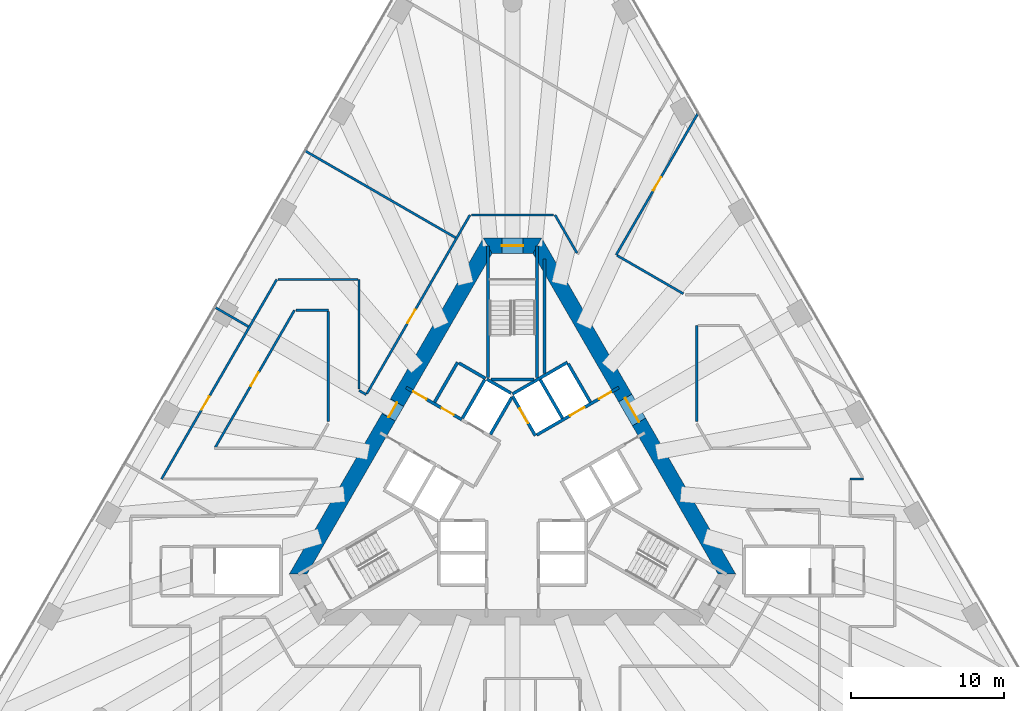
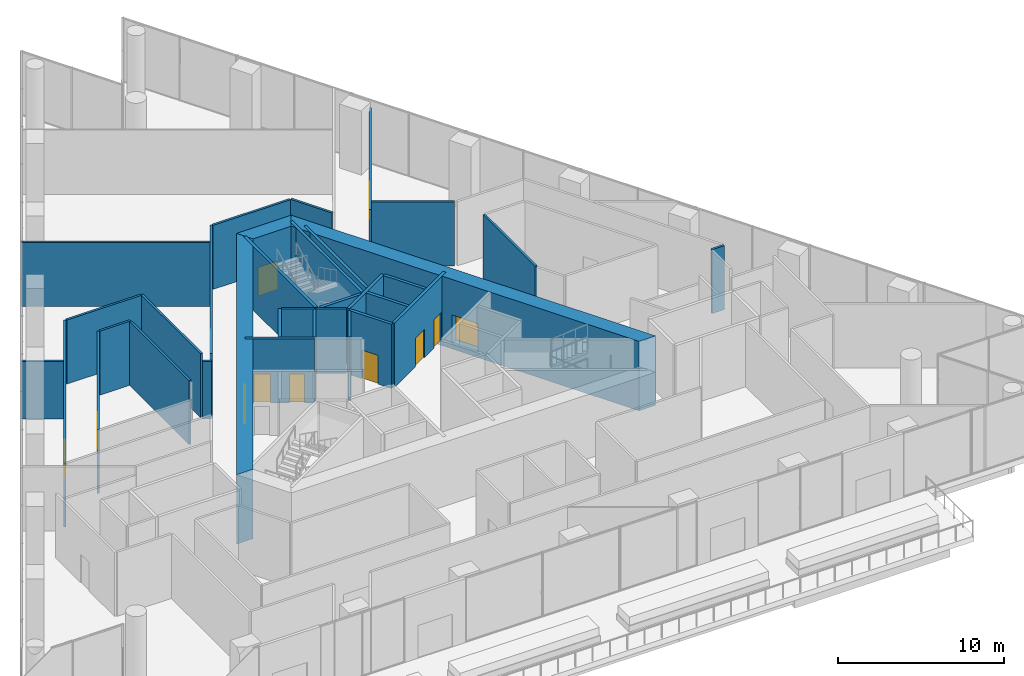
# One storey, part 24 of 28: 34 walls, 12 doors, 12 openings.
"""IFC4 building model written with IfcOpenShell, lengths in metres."""

from ifc_helpers import new_model, si_unit, direction, frame, frame_2d, origin, place, context, subcontext, project, spatial, polyline, rectangle, outline, extrude, material, layer, layer_set, type_object, element, fill, save


model = new_model("IFC4")

# Units and contexts
model_context = context("Model", 3, precision=1e-05, world=origin(), true_north=direction((0.0, 1.0)))
body_context = subcontext(model_context, "Body", "Model", "MODEL_VIEW")
ifc_project = project(units=[si_unit("LENGTHUNIT", "METRE"), si_unit("AREAUNIT", "SQUARE_METRE"), si_unit("VOLUMEUNIT", "CUBIC_METRE"), si_unit("PLANEANGLEUNIT", "RADIAN"), si_unit("MASSUNIT", "GRAM", prefix="KILO")], contexts=[model_context])

# Site, building, storey
site_placement = place(None, origin())
site = spatial("IfcSite", under=ifc_project, at=site_placement, CompositionType="ELEMENT")
building_placement = place(site_placement, origin())
building = spatial("IfcBuilding", under=site, at=building_placement, Name="Triada Interchange Tower", CompositionType="ELEMENT")
storey_placement = place(building_placement, frame((0.0, 0.0, 30.300048828125)))
storey = spatial("IfcBuildingStorey", under=building, at=storey_placement, Name="L05", CompositionType="ELEMENT", Elevation=30.300048828125)

# Wall
ifc_material_1 = material(Name="Concrete C30/37", Category="concrete")
ifc_layer_1 = layer(ifc_material_1, 0.199951171875)
ifc_layer_set_1 = layer_set([ifc_layer_1], Name="CORE WALL 200 EI 120")
wall_type_1 = type_object("IfcWallType", Name="CORE WALL 200 EI 120", PredefinedType="SOLIDWALL", material=ifc_layer_set_1)
wall_1_placement = place(storey_placement, frame((-0.001953125, 5.541015625, 0.0), z_axis=(0.0, 0.0, 1.0), x_axis=(0.86600155993, 0.500041296494, 0.0)))
element("IfcWall", 1, at=wall_1_placement, inside=storey, type_object=wall_type_1, Name="Wall L05 83", PredefinedType="SOLIDWALL", context=body_context, shape_type="SweptSolid", body=[
    extrude(rectangle(XDim=4.131591796875, YDim=0.199951171875, at=frame_2d((2.06591796875, 0.0))), origin(), (0.0, 0.0, 1.0), 4.699951171875),
])

# Wall, opening, door
wall_2_placement = place(storey_placement, frame((0.0, 5.39990234375, 0.0), z_axis=(0.0, 0.0, 1.0), x_axis=(0.500103862429, -0.865965430478, 0.0)))
wall_2 = element("IfcWall", 2, at=wall_2_placement, inside=storey, type_object=wall_type_1, Name="Wall L05 84", PredefinedType="SOLIDWALL", context=body_context, shape_type="SweptSolid", body=[
    extrude(rectangle(XDim=2.973388671875, YDim=0.199951171875, at=frame_2d((1.48681640625, 0.0))), origin(), (0.0, 0.0, 1.0), 4.699951171875),
])
opening_1_placement = place(wall_2_placement, frame((0.93701171875, 0.0, 0.0)))
opening_1 = element("IfcOpeningElement", 3, at=opening_1_placement, cuts=wall_2, Name="Opening LD-LR5", PredefinedType="OPENING", context=body_context, shape_type="SweptSolid", body=[
    extrude(rectangle(XDim=1.10009765625, YDim=2.10009765625, at=frame_2d((0.550048828125, 1.050048828125))), frame((0.0, 0.10986328125, 0.0), z_axis=(0.0, -1.0, 0.0), x_axis=(1.0, 0.0, 0.0)), (0.0, 0.0, 1.0), 0.219970703125),
])
ifc_material_2 = material(Name="Steel S235 door leaf", Category="steel")
door_type_1 = type_object("IfcDoorType", Name="LIFT LANDING DOOR 1100 EI 120", OperationType="SLIDING_TO_LEFT", PredefinedType="DOOR", material=ifc_material_2)
door_1_placement = place(opening_1_placement, origin())
door_1 = element("IfcDoor", 4, at=door_1_placement, inside=storey, type_object=door_type_1, Name="LR5 landing door L05", OperationType="SLIDING_TO_LEFT", OverallHeight=2.10009765625, OverallWidth=1.10009765625, PredefinedType="DOOR", context=body_context, shape_type="SweptSolid", body=[
    extrude(rectangle(XDim=1.10009765625, YDim=2.10009765625, at=frame_2d((0.550048828125, 1.050048828125))), frame((0.0, 0.02490234375, 0.0), z_axis=(0.0, -1.0, 0.0), x_axis=(1.0, 0.0, 0.0)), (0.0, 0.0, 1.0), 0.050048828125),
])
fill(opening_1, door_1)

# Wall, openings, doors
wall_3_placement = place(storey_placement, frame((1.577880859375, 2.8740234375, 0.0), z_axis=(0.0, 0.0, 1.0), x_axis=(0.866055259465, 0.499948284879, 0.0)))
wall_3 = element("IfcWall", 5, at=wall_3_placement, inside=storey, type_object=wall_type_1, Name="Wall L05 86", PredefinedType="SOLIDWALL", context=body_context, shape_type="SweptSolid", body=[
    extrude(rectangle(XDim=6.176513671875, YDim=0.199951171875, at=frame_2d((3.08837890625, 0.0))), origin(), (0.0, 0.0, 1.0), 4.699951171875),
])
opening_2_placement = place(wall_3_placement, frame((2.49609375, 0.0, 0.0)))
opening_2 = element("IfcOpeningElement", 6, at=opening_2_placement, cuts=wall_3, Name="Opening LD-LR6", PredefinedType="OPENING", context=body_context, shape_type="SweptSolid", body=[
    extrude(rectangle(XDim=1.10009765625, YDim=2.10009765625, at=frame_2d((0.550048828125, 1.050048828125))), frame((0.0, 0.10986328125, 0.0), z_axis=(0.0, -1.0, 0.0), x_axis=(1.0, 0.0, 0.0)), (0.0, 0.0, 1.0), 0.219970703125),
])
opening_3_placement = place(wall_3_placement, frame((4.696044921875, 0.0, 0.0)))
opening_3 = element("IfcOpeningElement", 7, at=opening_3_placement, cuts=wall_3, Name="Opening D05-40", PredefinedType="OPENING", context=body_context, shape_type="SweptSolid", body=[
    extrude(rectangle(XDim=0.89990234375, YDim=2.10009765625, at=frame_2d((0.449951171875, 1.050048828125))), frame((0.0, 0.10986328125, 0.0), z_axis=(0.0, -1.0, 0.0), x_axis=(1.0, 0.0, 0.0)), (0.0, 0.0, 1.0), 0.219970703125),
])
door_2_placement = place(opening_2_placement, origin())
door_2 = element("IfcDoor", 8, at=door_2_placement, inside=storey, type_object=door_type_1, Name="LR6 landing door L05", OperationType="SLIDING_TO_LEFT", OverallHeight=2.10009765625, OverallWidth=1.10009765625, PredefinedType="DOOR", context=body_context, shape_type="SweptSolid", body=[
    extrude(rectangle(XDim=1.10009765625, YDim=2.10009765625, at=frame_2d((0.550048828125, 1.050048828125))), frame((0.0, 0.02490234375, 0.0), z_axis=(0.0, -1.0, 0.0), x_axis=(1.0, 0.0, 0.0)), (0.0, 0.0, 1.0), 0.050048828125),
])
fill(opening_2, door_2)
door_type_2 = type_object("IfcDoorType", Name="SERVICE DOOR 900 EI2 45-C5S200", OperationType="NOTDEFINED", PredefinedType="DOOR", material=ifc_material_2)
door_3_placement = place(opening_3_placement, origin())
door_3 = element("IfcDoor", 9, at=door_3_placement, inside=storey, type_object=door_type_2, Name="Door D05-40 L05", OperationType="SINGLE_SWING_LEFT", OverallHeight=2.10009765625, OverallWidth=0.89990234375, PredefinedType="DOOR", context=body_context, shape_type="SweptSolid", body=[
    extrude(rectangle(XDim=0.89990234375, YDim=2.10009765625, at=frame_2d((0.449951171875, 1.050048828125))), frame((0.0, 0.02490234375, 0.0), z_axis=(0.0, -1.0, 0.0), x_axis=(1.0, 0.0, 0.0)), (0.0, 0.0, 1.0), 0.050048828125),
])
fill(opening_3, door_3)

# Walls
for number, where, z_axis, x_axis, name in (
    (10, (1.806884765625, 6.469970703125, 0.0), (0.0, 0.0, 1.0), (0.50012328804, -0.865954211699, 0.0), "Wall L05 89"),
    (11, (3.6259765625, 7.52001953125, 0.0), (0.0, 0.0, 1.0), (0.500060147554, -0.865990674793, 0.0), "Wall L05 91"),
):
    element("IfcWall", number, at=place(storey_placement, frame(where, z_axis=z_axis, x_axis=x_axis)), inside=storey, type_object=wall_type_1, Name=name, PredefinedType="SOLIDWALL", context=body_context, shape_type="SweptSolid", body=[
        extrude(rectangle(XDim=2.899658203125, YDim=0.199951171875, at=frame_2d((1.44970703125, 0.0))), origin(), (0.0, 0.0, 1.0), 4.699951171875),
    ])

# Wall, openings, doors
ifc_layer_2 = layer(ifc_material_1, 0.199951171875)
ifc_layer_set_2 = layer_set([ifc_layer_2], Name="CORE WALL 200 EI 180")
wall_type_2 = type_object("IfcWallType", Name="CORE WALL 200 EI 180", PredefinedType="SOLIDWALL", material=ifc_layer_set_2)
wall_4_placement = place(storey_placement, frame((-6.927001953125, 5.9619140625, 0.0), z_axis=(0.0, 0.0, 1.0), x_axis=(0.866065051207, -0.49993132236, 0.0)))
wall_4 = element("IfcWall", 12, at=wall_4_placement, inside=storey, type_object=wall_type_2, Name="Wall L05 97", PredefinedType="SOLIDWALL", context=body_context, shape_type="SweptSolid", body=[
    extrude(rectangle(XDim=4.18212890625, YDim=0.199951171875, at=frame_2d((2.091064453125, 0.0))), origin(), (0.0, 0.0, 1.0), 4.699951171875),
])
opening_4_placement = place(wall_4_placement, frame((2.679931640625, 0.0, 0.0)))
opening_4 = element("IfcOpeningElement", 13, at=opening_4_placement, cuts=wall_4, Name="Opening D05-10", PredefinedType="OPENING", context=body_context, shape_type="SweptSolid", body=[
    extrude(rectangle(XDim=0.89990234375, YDim=2.10009765625, at=frame_2d((0.449951171875, 1.050048828125))), frame((0.0, 0.10986328125, 0.0), z_axis=(0.0, -1.0, 0.0), x_axis=(1.0, 0.0, 0.0)), (0.0, 0.0, 1.0), 0.219970703125),
])
opening_5_placement = place(wall_4_placement, frame((0.530029296875, 0.0, 0.0)))
opening_5 = element("IfcOpeningElement", 14, at=opening_5_placement, cuts=wall_4, Name="Opening D05-39", PredefinedType="OPENING", context=body_context, shape_type="SweptSolid", body=[
    extrude(rectangle(XDim=1.0, YDim=2.10009765625, at=frame_2d((0.5, 1.050048828125))), frame((0.0, 0.10986328125, 0.0), z_axis=(0.0, -1.0, 0.0), x_axis=(1.0, 0.0, 0.0)), (0.0, 0.0, 1.0), 0.219970703125),
])
door_type_3 = type_object("IfcDoorType", Name="SERVICE DOOR 1000 EI2 45-C5S200", OperationType="NOTDEFINED", PredefinedType="DOOR", material=ifc_material_2)
door_4_placement = place(opening_5_placement, origin())
door_4 = element("IfcDoor", 15, at=door_4_placement, inside=storey, type_object=door_type_3, Name="Door D05-39 L05", OperationType="SINGLE_SWING_RIGHT", OverallHeight=2.10009765625, OverallWidth=1.0, PredefinedType="DOOR", context=body_context, shape_type="SweptSolid", body=[
    extrude(rectangle(XDim=1.0, YDim=2.10009765625, at=frame_2d((0.5, 1.050048828125))), frame((0.0, 0.02490234375, 0.0), z_axis=(0.0, -1.0, 0.0), x_axis=(1.0, 0.0, 0.0)), (0.0, 0.0, 1.0), 0.050048828125),
])
fill(opening_5, door_4)
door_type_4 = type_object("IfcDoorType", Name="SERVICE DOOR 900 EI2 90-C5S200", OperationType="NOTDEFINED", PredefinedType="DOOR", material=ifc_material_2)
door_5_placement = place(opening_4_placement, origin())
door_5 = element("IfcDoor", 16, at=door_5_placement, inside=storey, type_object=door_type_4, Name="Door D05-10 L05", OperationType="SINGLE_SWING_LEFT", OverallHeight=2.10009765625, OverallWidth=0.89990234375, PredefinedType="DOOR", context=body_context, shape_type="SweptSolid", body=[
    extrude(rectangle(XDim=0.89990234375, YDim=2.10009765625, at=frame_2d((0.449951171875, 1.050048828125))), frame((0.0, 0.02490234375, 0.0), z_axis=(0.0, -1.0, 0.0), x_axis=(1.0, 0.0, 0.0)), (0.0, 0.0, 1.0), 0.050048828125),
])
fill(opening_4, door_5)

# Walls
wall_5_placement = place(storey_placement, frame((-5.075927734375, 5.009033203125, 0.0), z_axis=(0.0, 0.0, 1.0), x_axis=(0.50002537861, 0.866010750942, 0.0)))
element("IfcWall", 17, at=wall_5_placement, inside=storey, type_object=wall_type_2, Name="Wall L05 99", PredefinedType="SOLIDWALL", context=body_context, shape_type="SweptSolid", body=[
    extrude(rectangle(XDim=2.999755859375, YDim=0.199951171875, at=frame_2d((1.5, 0.0))), origin(), (0.0, 0.0, 1.0), 4.699951171875),
])
wall_6_placement = place(storey_placement, frame((-3.489013671875, 7.556884765625, 0.0), z_axis=(0.0, 0.0, 1.0), x_axis=(0.866010750942, -0.50002537861, 0.0)))
element("IfcWall", 18, at=wall_6_placement, inside=storey, type_object=wall_type_2, Name="Wall L05 100", PredefinedType="SOLIDWALL", context=body_context, shape_type="SweptSolid", body=[
    extrude(rectangle(XDim=2.0, YDim=0.199951171875, at=frame_2d((1.0, 0.0))), origin(), (0.0, 0.0, 1.0), 4.699951171875),
])
wall_7_placement = place(storey_placement, frame((-3.257080078125, 3.958984375, 0.0), z_axis=(0.0, 0.0, 1.0), x_axis=(0.50012328804, 0.865954211699, 0.0)))
element("IfcWall", 19, at=wall_7_placement, inside=storey, type_object=wall_type_2, Name="Shaft wall FF2 L05 107", PredefinedType="SOLIDWALL", context=body_context, shape_type="SweptSolid", body=[
    extrude(rectangle(XDim=2.899658203125, YDim=0.199951171875, at=frame_2d((1.44970703125, 0.0))), origin(), (0.0, 0.0, 1.0), 4.699951171875),
])
wall_8_placement = place(storey_placement, frame((-1.669921875, 6.507080078125, 0.0), z_axis=(0.0, 0.0, 1.0), x_axis=(0.865941441609, -0.500145398563, 0.0)))
element("IfcWall", 20, at=wall_8_placement, inside=storey, type_object=wall_type_2, Name="Shaft wall FF2 L05 108", PredefinedType="SOLIDWALL", context=body_context, shape_type="SweptSolid", body=[
    extrude(rectangle(XDim=1.8154296875, YDim=0.199951171875, at=frame_2d((0.90771484375, 0.0))), origin(), (0.0, 0.0, 1.0), 4.699951171875),
])
wall_9_placement = place(storey_placement, frame((-1.43798828125, 2.908935546875, 0.0), z_axis=(0.0, 0.0, 1.0), x_axis=(0.499829630636, 0.866123744241, 0.0)))
element("IfcWall", 21, at=wall_9_placement, inside=storey, type_object=wall_type_2, Name="Shaft wall FF2 L05 109", PredefinedType="SOLIDWALL", context=body_context, shape_type="SweptSolid", body=[
    extrude(rectangle(XDim=2.7607421875, YDim=0.199951171875, at=frame_2d((1.38037109375, 0.0))), origin(), (0.0, 0.0, 1.0), 4.699951171875),
])
ifc_layer_3 = layer(ifc_material_1, 0.199951171875)
ifc_layer_set_3 = layer_set([ifc_layer_3], Name="CORE WALL 200 EI 90")
wall_type_3 = type_object("IfcWallType", Name="CORE WALL 200 EI 90", PredefinedType="SOLIDWALL", material=ifc_layer_set_3)
wall_10_placement = place(storey_placement, frame((2.0830078125, 6.861083984375, 0.0), z_axis=(0.0, 0.0, 1.0), x_axis=(0.0, 1.0, 0.0)))
element("IfcWall", 22, at=wall_10_placement, inside=storey, type_object=wall_type_3, Name="Wall L05 111", PredefinedType="SOLIDWALL", context=body_context, shape_type="SweptSolid", body=[
    extrude(rectangle(XDim=7.490966796875, YDim=0.199951171875, at=frame_2d((3.74560546875, 0.0))), origin(), (0.0, 0.0, 1.0), 4.699951171875),
])
ifc_layer_4 = layer(ifc_material_1, 0.199951171875)
ifc_layer_set_4 = layer_set([ifc_layer_4], Name="CORE WALL 200 REI 240")
wall_type_4 = type_object("IfcWallType", Name="CORE WALL 200 REI 240", PredefinedType="SOLIDWALL", material=ifc_layer_set_4)
wall_11_placement = place(storey_placement, frame((1.60009765625, 6.614990234375, 0.0), z_axis=(0.0, 0.0, 1.0), x_axis=(0.0, 1.0, 0.0)))
element("IfcWall", 23, at=wall_11_placement, inside=storey, type_object=wall_type_4, Name="Wall L05 115", PredefinedType="SOLIDWALL", context=body_context, shape_type="SweptSolid", body=[
    extrude(rectangle(XDim=8.56494140625, YDim=0.199951171875, at=frame_2d((4.282470703125, 0.0))), origin(), (0.0, 0.0, 1.0), 4.699951171875),
])
wall_12_placement = place(storey_placement, frame((-1.39990234375, 6.5, 0.0), z_axis=(0.0, 0.0, 1.0), x_axis=(1.0, 0.0, 0.0)))
element("IfcWall", 24, at=wall_12_placement, inside=storey, type_object=wall_type_4, Name="Wall L05 116", PredefinedType="SOLIDWALL", context=body_context, shape_type="SweptSolid", body=[
    extrude(rectangle(XDim=2.7998046875, YDim=0.199951171875, at=frame_2d((1.39990234375, 0.0))), origin(), (0.0, 0.0, 1.0), 4.699951171875),
])
wall_13_placement = place(storey_placement, frame((-1.60009765625, 6.614990234375, 0.0), z_axis=(0.0, 0.0, 1.0), x_axis=(0.0, 1.0, 0.0)))
element("IfcWall", 25, at=wall_13_placement, inside=storey, type_object=wall_type_4, Name="Wall L05 117", PredefinedType="SOLIDWALL", context=body_context, shape_type="SweptSolid", body=[
    extrude(rectangle(XDim=8.56494140625, YDim=0.199951171875, at=frame_2d((4.282470703125, 0.0))), origin(), (0.0, 0.0, 1.0), 4.699951171875),
])

# Wall, opening, door
ifc_material_3 = material(Name="Concrete C70/85", Category="concrete")
ifc_layer_5 = layer(ifc_material_3, 1.0)
ifc_layer_set_5 = layer_set([ifc_layer_5], Name="Core wall P 1000")
wall_type_5 = type_object("IfcWallType", Name="Core wall P 1000", PredefinedType="SHEAR", material=ifc_layer_set_5)
wall_14_placement = place(storey_placement, frame((1.616943359375, 15.199951171875, -0.400146484375), z_axis=(0.0, 0.0, 1.0), x_axis=(-1.0, 0.0, 0.0)))
wall_14 = element("IfcWall", 26, at=wall_14_placement, inside=storey, type_object=wall_type_5, Name="Core wall WP01 L05", PredefinedType="SHEAR", context=body_context, shape_type="SweptSolid", body=[
    extrude(outline(polyline([(-0.2880859375, -0.5), (1.616943359375, -0.5), (3.52197265625, -0.5), (2.945068359375, 0.5), (1.6171875, 0.5), (0.2890625, 0.5), (-0.2880859375, -0.5)])), origin(), (0.0, 0.0, 1.0), 5.10009765625),
])
opening_6_placement = place(wall_14_placement, frame((0.9169921875, 0.0, 0.39990234375)))
opening_6 = element("IfcOpeningElement", 27, at=opening_6_placement, cuts=wall_14, Name="Opening D05-33", PredefinedType="OPENING", context=body_context, shape_type="SweptSolid", body=[
    extrude(rectangle(XDim=1.39990234375, YDim=2.10009765625, at=frame_2d((0.699951171875, 1.050048828125))), frame((0.0, 0.510009765625, 0.0), z_axis=(0.0, -1.0, 0.0), x_axis=(1.0, 0.0, 0.0)), (0.0, 0.0, 1.0), 1.02001953125),
])
door_type_5 = type_object("IfcDoorType", Name="STAIR DOOR 1400 EI2 90-C5S200", OperationType="DOUBLE_DOOR_SINGLE_SWING", PredefinedType="DOOR", material=ifc_material_2)
door_6_placement = place(opening_6_placement, origin())
door_6 = element("IfcDoor", 28, at=door_6_placement, inside=storey, type_object=door_type_5, Name="Door D05-33 L05", OperationType="DOUBLE_DOOR_SINGLE_SWING", OverallHeight=2.10009765625, OverallWidth=1.39990234375, PredefinedType="DOOR", context=body_context, shape_type="SweptSolid", body=[
    extrude(rectangle(XDim=1.39990234375, YDim=2.10009765625, at=frame_2d((0.699951171875, 1.050048828125))), frame((0.0, 0.02490234375, 0.0), z_axis=(0.0, -1.0, 0.0), x_axis=(1.0, 0.0, 0.0)), (0.0, 0.0, 1.0), 0.050048828125),
])
fill(opening_6, door_6)

wall_15_placement = place(storey_placement, frame((-1.616943359375, 15.199951171875, -0.400146484375), z_axis=(0.0, 0.0, 1.0), x_axis=(-0.499992141631, -0.866029940768, 0.0)))
wall_15 = element("IfcWall", 29, at=wall_15_placement, inside=storey, type_object=wall_type_5, Name="Core wall WP02 L05", PredefinedType="SHEAR", context=body_context, shape_type="SweptSolid", body=[
    extrude(outline(polyline([(-0.2890625, -0.4990234375), (1.65625, -0.4990234375), (3.601318359375, -0.499267578125), (5.546630859375, -0.499267578125), (7.491943359375, -0.499267578125), (9.43701171875, -0.49951171875), (11.38232421875, -0.49951171875), (13.32763671875, -0.49951171875), (15.27294921875, -0.49951171875), (17.218017578125, -0.499755859375), (19.163330078125, -0.499755859375), (21.108642578125, -0.499755859375), (23.0537109375, -0.5), (24.9990234375, -0.5), (24.422119140625, 0.5), (22.565673828125, 0.5), (20.709228515625, 0.5), (18.85302734375, 0.5), (16.99658203125, 0.5), (15.14013671875, 0.5), (13.28369140625, 0.5), (11.427490234375, 0.5), (9.571044921875, 0.5), (7.714599609375, 0.5), (5.858154296875, 0.5), (4.001953125, 0.5), (2.1455078125, 0.5), (0.2890625, 0.5), (-0.2890625, -0.4990234375)])), origin(), (0.0, 0.0, 1.0), 5.10009765625),
])
opening_7_placement = place(wall_15_placement, frame((11.804931640625, 0.0, 0.39990234375)))
opening_7 = element("IfcOpeningElement", 30, at=opening_7_placement, cuts=wall_15, Name="Opening D05-36", PredefinedType="OPENING", context=body_context, shape_type="SweptSolid", body=[
    extrude(rectangle(XDim=1.10009765625, YDim=2.10009765625, at=frame_2d((0.550048828125, 1.050048828125))), frame((0.0, 0.510009765625, 0.0), z_axis=(0.0, -1.0, 0.0), x_axis=(1.0, 0.0, 0.0)), (0.0, 0.0, 1.0), 1.02001953125),
])
door_type_6 = type_object("IfcDoorType", Name="FIRE LOBBY DOOR 1100 EI2 90-C5S200", OperationType="NOTDEFINED", PredefinedType="DOOR", material=ifc_material_2)
door_7_placement = place(opening_7_placement, origin())
door_7 = element("IfcDoor", 31, at=door_7_placement, inside=storey, type_object=door_type_6, Name="Door D05-36 L05", OperationType="SINGLE_SWING_LEFT", OverallHeight=2.10009765625, OverallWidth=1.10009765625, PredefinedType="DOOR", context=body_context, shape_type="SweptSolid", body=[
    extrude(rectangle(XDim=1.10009765625, YDim=2.10009765625, at=frame_2d((0.550048828125, 1.050048828125))), frame((0.0, 0.02490234375, 0.0), z_axis=(0.0, -1.0, 0.0), x_axis=(1.0, 0.0, 0.0)), (0.0, 0.0, 1.0), 0.050048828125),
])
fill(opening_7, door_7)

wall_16_placement = place(storey_placement, frame((13.971923828125, -6.199951171875, -0.400146484375), z_axis=(0.0, 0.0, 1.0), x_axis=(-0.499992141631, 0.866029940768, 0.0)))
wall_16 = element("IfcWall", 32, at=wall_16_placement, inside=storey, type_object=wall_type_5, Name="Core wall WP06 L05", PredefinedType="SHEAR", context=body_context, shape_type="SweptSolid", body=[
    extrude(outline(polyline([(-0.2880859375, -0.5), (1.656982421875, -0.5), (3.602294921875, -0.499755859375), (5.54736328125, -0.499755859375), (7.49267578125, -0.499755859375), (9.437744140625, -0.49951171875), (11.3828125, -0.49951171875), (13.328125, -0.49951171875), (15.273193359375, -0.49951171875), (17.21826171875, -0.499267578125), (19.16357421875, -0.499267578125), (21.108642578125, -0.499267578125), (23.053955078125, -0.4990234375), (24.9990234375, -0.4990234375), (24.422119140625, 0.5), (22.565673828125, 0.5), (20.709228515625, 0.5), (18.852783203125, 0.5), (16.996337890625, 0.5), (15.139892578125, 0.5), (13.283447265625, 0.5), (11.4267578125, 0.5), (9.5703125, 0.5), (7.7138671875, 0.5), (5.857421875, 0.5), (4.0009765625, 0.5), (2.14453125, 0.5), (0.2880859375, 0.5), (-0.2880859375, -0.5)])), origin(), (0.0, 0.0, 1.0), 5.10009765625),
])
opening_8_placement = place(wall_16_placement, frame((11.455078125, 0.0, 0.39990234375)))
opening_8 = element("IfcOpeningElement", 33, at=opening_8_placement, cuts=wall_16, Name="Opening D05-32", PredefinedType="OPENING", context=body_context, shape_type="SweptSolid", body=[
    extrude(rectangle(XDim=1.800048828125, YDim=2.10009765625, at=frame_2d((0.89990234375, 1.050048828125))), frame((0.0, 0.510009765625, 0.0), z_axis=(0.0, -1.0, 0.0), x_axis=(1.0, 0.0, 0.0)), (0.0, 0.0, 1.0), 1.02001953125),
])
door_type_7 = type_object("IfcDoorType", Name="LOBBY DOOR 1800 EI2 90-C5S200", OperationType="DOUBLE_DOOR_SINGLE_SWING", PredefinedType="DOOR", material=ifc_material_2)
door_8_placement = place(opening_8_placement, origin())
door_8 = element("IfcDoor", 34, at=door_8_placement, inside=storey, type_object=door_type_7, Name="Door D05-32 L05", OperationType="DOUBLE_DOOR_SINGLE_SWING", OverallHeight=2.10009765625, OverallWidth=1.800048828125, PredefinedType="DOOR", context=body_context, shape_type="SweptSolid", body=[
    extrude(rectangle(XDim=1.800048828125, YDim=2.10009765625, at=frame_2d((0.89990234375, 1.050048828125))), frame((0.0, 0.02490234375, 0.0), z_axis=(0.0, -1.0, 0.0), x_axis=(1.0, 0.0, 0.0)), (0.0, 0.0, 1.0), 0.050048828125),
])
fill(opening_8, door_8)

# Walls
ifc_material_4 = material(Name="Gypsum board partition")
ifc_layer_6 = layer(ifc_material_4, 0.14990234375)
ifc_layer_set_6 = layer_set([ifc_layer_6], Name="PARTITION 150")
wall_type_6 = type_object("IfcWallType", Name="PARTITION 150", PredefinedType="PARTITIONING", material=ifc_layer_set_6)
wall_17_placement = place(storey_placement, frame((-19.39892578125, 11.199951171875, 0.0), z_axis=(0.0, 0.0, 1.0), x_axis=(0.865979509711, -0.500079482444, 0.0)))
element("IfcWall", 35, at=wall_17_placement, inside=storey, type_object=wall_type_6, Name="Wall L05 8", PredefinedType="PARTITIONING", context=body_context, shape_type="SweptSolid", body=[
    extrude(rectangle(XDim=2.525390625, YDim=0.14990234375, at=frame_2d((1.2626953125, 0.0))), origin(), (0.0, 0.0, 1.0), 4.199951171875),
])
wall_18_placement = place(storey_placement, frame((-13.51708984375, 21.386962890625, 0.0), z_axis=(0.0, 0.0, 1.0), x_axis=(0.866036235619, -0.499981238243, 0.0)))
element("IfcWall", 36, at=wall_18_placement, inside=storey, type_object=wall_type_6, Name="Wall L05 29", PredefinedType="PARTITIONING", context=body_context, shape_type="SweptSolid", body=[
    extrude(rectangle(XDim=11.32421875, YDim=0.14990234375, at=frame_2d((5.662109375, 0.0))), origin(), (0.0, 0.0, 1.0), 4.699951171875),
])
ifc_layer_7 = layer(ifc_material_4, 0.14990234375)
ifc_layer_set_7 = layer_set([ifc_layer_7], Name="PARTITION 150 EI 90")
wall_type_7 = type_object("IfcWallType", Name="PARTITION 150 EI 90", PredefinedType="PARTITIONING", material=ifc_layer_set_7)
wall_19_placement = place(storey_placement, frame((-10.0, 5.77294921875, 0.0), z_axis=(0.0, 0.0, 1.0), x_axis=(0.866645846342, -0.498923818852, 0.0)))
element("IfcWall", 37, at=wall_19_placement, inside=storey, type_object=wall_type_7, Name="Wall L05 9", PredefinedType="PARTITIONING", context=body_context, shape_type="SweptSolid", body=[
    extrude(rectangle(XDim=0.547119140625, YDim=0.14990234375, at=frame_2d((0.2734375, 0.0))), origin(), (0.0, 0.0, 1.0), 4.199951171875),
])

# Wall, opening, door
wall_20_placement = place(storey_placement, frame((-22.863037109375, 0.0, 0.0), z_axis=(0.0, 0.0, 1.0), x_axis=(0.500027479704, 0.866009537788, 0.0)))
wall_20 = element("IfcWall", 38, at=wall_20_placement, inside=storey, type_object=wall_type_7, Name="Wall L05 10", PredefinedType="PARTITIONING", context=body_context, shape_type="SweptSolid", body=[
    extrude(rectangle(XDim=15.011474609375, YDim=0.14990234375, at=frame_2d((7.505859375, 0.0))), origin(), (0.0, 0.0, 1.0), 4.699951171875),
])
opening_9_placement = place(wall_20_placement, frame((5.216064453125, 0.0, 0.0)))
opening_9 = element("IfcOpeningElement", 39, at=opening_9_placement, cuts=wall_20, Name="Opening D05-23", PredefinedType="OPENING", context=body_context, shape_type="SweptSolid", body=[
    extrude(rectangle(XDim=1.0, YDim=2.10009765625, at=frame_2d((0.5, 1.050048828125))), frame((0.0, 0.0849609375, 0.0), z_axis=(0.0, -1.0, 0.0), x_axis=(1.0, 0.0, 0.0)), (0.0, 0.0, 1.0), 0.169921875),
])
door_type_8 = type_object("IfcDoorType", Name="ROOM DOOR 1000 EI2 45-C5S200", OperationType="NOTDEFINED", PredefinedType="DOOR", material=ifc_material_2)
door_9_placement = place(opening_9_placement, origin())
door_9 = element("IfcDoor", 40, at=door_9_placement, inside=storey, type_object=door_type_8, Name="Door D05-23 L05", OperationType="SINGLE_SWING_LEFT", OverallHeight=2.10009765625, OverallWidth=1.0, PredefinedType="DOOR", context=body_context, shape_type="SweptSolid", body=[
    extrude(rectangle(XDim=1.0, YDim=2.10009765625, at=frame_2d((0.5, 1.050048828125))), frame((0.0, 0.02490234375, 0.0), z_axis=(0.0, -1.0, 0.0), x_axis=(1.0, 0.0, 0.0)), (0.0, 0.0, 1.0), 0.050048828125),
])
fill(opening_9, door_9)

# Wall
wall_21_placement = place(storey_placement, frame((22.0, 0.0, 0.0), z_axis=(0.0, 0.0, 1.0), x_axis=(1.0, 0.0, 0.0)))
element("IfcWall", 41, at=wall_21_placement, inside=storey, type_object=wall_type_7, Name="Wall L05 12", PredefinedType="PARTITIONING", context=body_context, shape_type="SweptSolid", body=[
    extrude(rectangle(XDim=0.863037109375, YDim=0.14990234375, at=frame_2d((0.431640625, 0.0))), origin(), (0.0, 0.0, 1.0), 4.699951171875),
])

# Wall, opening, door
wall_22_placement = place(storey_placement, frame((-9.489013671875, 5.56494140625, 0.0), z_axis=(0.0, 0.0, 1.0), x_axis=(0.500030231307, 0.866007949028, 0.0)))
wall_22 = element("IfcWall", 42, at=wall_22_placement, inside=storey, type_object=wall_type_7, Name="Wall L05 14", PredefinedType="PARTITIONING", context=body_context, shape_type="SweptSolid", body=[
    extrude(rectangle(XDim=13.435302734375, YDim=0.14990234375, at=frame_2d((6.7177734375, 0.0))), origin(), (0.0, 0.0, 1.0), 4.699951171875),
])
opening_10_placement = place(wall_22_placement, frame((5.306884765625, 0.0, 0.0)))
opening_10 = element("IfcOpeningElement", 43, at=opening_10_placement, cuts=wall_22, Name="Opening D05-24", PredefinedType="OPENING", context=body_context, shape_type="SweptSolid", body=[
    extrude(rectangle(XDim=1.0, YDim=2.10009765625, at=frame_2d((0.5, 1.050048828125))), frame((0.0, 0.0849609375, 0.0), z_axis=(0.0, -1.0, 0.0), x_axis=(1.0, 0.0, 0.0)), (0.0, 0.0, 1.0), 0.169921875),
])
door_type_9 = type_object("IfcDoorType", Name="ROOM DOOR 1000 EI2 90-C5S200", OperationType="NOTDEFINED", PredefinedType="DOOR", material=ifc_material_2)
door_10_placement = place(opening_10_placement, origin())
door_10 = element("IfcDoor", 44, at=door_10_placement, inside=storey, type_object=door_type_9, Name="Door D05-24 L05", OperationType="SINGLE_SWING_RIGHT", OverallHeight=2.10009765625, OverallWidth=1.0, PredefinedType="DOOR", context=body_context, shape_type="SweptSolid", body=[
    extrude(rectangle(XDim=1.0, YDim=2.10009765625, at=frame_2d((0.5, 1.050048828125))), frame((0.0, 0.02490234375, 0.0), z_axis=(0.0, -1.0, 0.0), x_axis=(1.0, 0.0, 0.0)), (0.0, 0.0, 1.0), 0.050048828125),
])
fill(opening_10, door_10)

# Walls
wall_23_placement = place(storey_placement, frame((-10.0, 5.860107421875, 0.0), z_axis=(0.0, 0.0, 1.0), x_axis=(0.0, 1.0, 0.0)))
element("IfcWall", 45, at=wall_23_placement, inside=storey, type_object=wall_type_7, Name="Wall L05 25", PredefinedType="PARTITIONING", context=body_context, shape_type="SweptSolid", body=[
    extrude(rectangle(XDim=7.139892578125, YDim=0.14990234375, at=frame_2d((3.56982421875, 0.0))), origin(), (0.0, 0.0, 1.0), 4.699951171875),
])
wall_24_placement = place(storey_placement, frame((-15.27099609375, 13.0, 0.0), z_axis=(0.0, 0.0, 1.0), x_axis=(1.0, 0.0, 0.0)))
element("IfcWall", 46, at=wall_24_placement, inside=storey, type_object=wall_type_7, Name="Wall L05 26", PredefinedType="PARTITIONING", context=body_context, shape_type="SweptSolid", body=[
    extrude(rectangle(XDim=5.196044921875, YDim=0.14990234375, at=frame_2d((2.59814453125, 0.0))), origin(), (0.0, 0.0, 1.0), 4.699951171875),
])

# Wall, opening, door
wall_25_placement = place(storey_placement, frame((6.75390625, 14.60107421875, 0.0), z_axis=(0.0, 0.0, 1.0), x_axis=(0.499932177464, 0.866064557603, 0.0)))
wall_25 = element("IfcWall", 47, at=wall_25_placement, inside=storey, type_object=wall_type_7, Name="Wall L05 28", PredefinedType="PARTITIONING", context=body_context, shape_type="SweptSolid", body=[
    extrude(rectangle(XDim=10.681640625, YDim=0.14990234375, at=frame_2d((5.3408203125, 0.0))), origin(), (0.0, 0.0, 1.0), 4.099853515625),
])
opening_11_placement = place(wall_25_placement, frame((4.841064453125, 0.0, 0.0)))
opening_11 = element("IfcOpeningElement", 48, at=opening_11_placement, cuts=wall_25, Name="Opening D05-31", PredefinedType="OPENING", context=body_context, shape_type="SweptSolid", body=[
    extrude(rectangle(XDim=1.0, YDim=2.10009765625, at=frame_2d((0.5, 1.050048828125))), frame((0.0, 0.0849609375, 0.0), z_axis=(0.0, -1.0, 0.0), x_axis=(1.0, 0.0, 0.0)), (0.0, 0.0, 1.0), 0.169921875),
])
door_11_placement = place(opening_11_placement, origin())
door_11 = element("IfcDoor", 49, at=door_11_placement, inside=storey, type_object=door_type_9, Name="Door D05-31 L05", OperationType="SINGLE_SWING_RIGHT", OverallHeight=2.10009765625, OverallWidth=1.0, PredefinedType="DOOR", context=body_context, shape_type="SweptSolid", body=[
    extrude(rectangle(XDim=1.0, YDim=2.10009765625, at=frame_2d((0.5, 1.050048828125))), frame((0.0, 0.02490234375, 0.0), z_axis=(0.0, -1.0, 0.0), x_axis=(1.0, 0.0, 0.0)), (0.0, 0.0, 1.0), 0.050048828125),
])
fill(opening_11, door_11)

# Walls
wall_26_placement = place(storey_placement, frame((2.77099609375, 17.199951171875, 0.0), z_axis=(0.0, 0.0, 1.0), x_axis=(0.500065346707, -0.865987672558, 0.0)))
element("IfcWall", 50, at=wall_26_placement, inside=storey, type_object=wall_type_7, Name="Wall L05 31", PredefinedType="PARTITIONING", context=body_context, shape_type="SweptSolid", body=[
    extrude(rectangle(XDim=2.85546875, YDim=0.14990234375, at=frame_2d((1.427734375, 0.0))), origin(), (0.0, 0.0, 1.0), 4.699951171875),
])
wall_27_placement = place(storey_placement, frame((-2.68505859375, 17.199951171875, 0.0), z_axis=(0.0, 0.0, 1.0), x_axis=(1.0, 0.0, 0.0)))
element("IfcWall", 51, at=wall_27_placement, inside=storey, type_object=wall_type_7, Name="Wall L05 32", PredefinedType="PARTITIONING", context=body_context, shape_type="SweptSolid", body=[
    extrude(rectangle(XDim=5.3701171875, YDim=0.14990234375, at=frame_2d((2.68505859375, 0.0))), origin(), (0.0, 0.0, 1.0), 4.699951171875),
])
wall_28_placement = place(storey_placement, frame((6.819091796875, 14.56396484375, 0.0), z_axis=(0.0, 0.0, 1.0), x_axis=(0.865960914513, -0.500111682063, 0.0)))
element("IfcWall", 52, at=wall_28_placement, inside=storey, type_object=wall_type_7, Name="Wall L05 45", PredefinedType="PARTITIONING", context=body_context, shape_type="SweptSolid", body=[
    extrude(rectangle(XDim=4.976806640625, YDim=0.14990234375, at=frame_2d((2.48828125, 0.0))), origin(), (0.0, 0.0, 1.0), 4.699951171875),
])

# Wall, opening, door
wall_29_placement = place(storey_placement, frame((-19.35595703125, 2.074951171875, 0.0), z_axis=(0.0, 0.0, 1.0), x_axis=(0.500014323953, 0.866017133688, 0.0)))
wall_29 = element("IfcWall", 53, at=wall_29_placement, inside=storey, type_object=wall_type_7, Name="Wall L05 63", PredefinedType="PARTITIONING", context=body_context, shape_type="SweptSolid", body=[
    extrude(rectangle(XDim=10.305908203125, YDim=0.14990234375, at=frame_2d((5.15283203125, 0.0))), origin(), (0.0, 0.0, 1.0), 4.699951171875),
])
opening_12_placement = place(wall_29_placement, frame((4.610107421875, 0.0, 0.0)))
opening_12 = element("IfcOpeningElement", 54, at=opening_12_placement, cuts=wall_29, Name="Opening D05-20", PredefinedType="OPENING", context=body_context, shape_type="SweptSolid", body=[
    extrude(rectangle(XDim=1.0, YDim=2.10009765625, at=frame_2d((0.5, 1.050048828125))), frame((0.0, 0.0849609375, 0.0), z_axis=(0.0, -1.0, 0.0), x_axis=(1.0, 0.0, 0.0)), (0.0, 0.0, 1.0), 0.169921875),
])
door_12_placement = place(opening_12_placement, origin())
door_12 = element("IfcDoor", 55, at=door_12_placement, inside=storey, type_object=door_type_9, Name="Door D05-20 L05", OperationType="SINGLE_SWING_LEFT", OverallHeight=2.10009765625, OverallWidth=1.0, PredefinedType="DOOR", context=body_context, shape_type="SweptSolid", body=[
    extrude(rectangle(XDim=1.0, YDim=2.10009765625, at=frame_2d((0.5, 1.050048828125))), frame((0.0, 0.02490234375, 0.0), z_axis=(0.0, -1.0, 0.0), x_axis=(1.0, 0.0, 0.0)), (0.0, 0.0, 1.0), 0.050048828125),
])
fill(opening_12, door_12)

# Walls
wall_30_placement = place(storey_placement, frame((-14.115966796875, 11.0, 0.0), z_axis=(0.0, 0.0, 1.0), x_axis=(1.0, 0.0, 0.0)))
element("IfcWall", 56, at=wall_30_placement, inside=storey, type_object=wall_type_7, Name="Wall L05 64", PredefinedType="PARTITIONING", context=body_context, shape_type="SweptSolid", body=[
    extrude(rectangle(XDim=2.115966796875, YDim=0.14990234375, at=frame_2d((1.05810546875, 0.0))), origin(), (0.0, 0.0, 1.0), 4.699951171875),
])
wall_31_placement = place(storey_placement, frame((-12.0, 3.764892578125, 0.0), z_axis=(0.0, 0.0, 1.0), x_axis=(0.0, 1.0, 0.0)))
element("IfcWall", 57, at=wall_31_placement, inside=storey, type_object=wall_type_7, Name="Wall L05 65", PredefinedType="PARTITIONING", context=body_context, shape_type="SweptSolid", body=[
    extrude(rectangle(XDim=7.16015625, YDim=0.14990234375, at=frame_2d((3.580078125, 0.0))), origin(), (0.0, 0.0, 1.0), 4.699951171875),
])
wall_32_placement = place(storey_placement, frame((12.0, 3.764892578125, 0.0), z_axis=(0.0, 0.0, 1.0), x_axis=(0.0, 1.0, 0.0)))
element("IfcWall", 58, at=wall_32_placement, inside=storey, type_object=wall_type_7, Name="Wall L05 70", PredefinedType="PARTITIONING", context=body_context, shape_type="SweptSolid", body=[
    extrude(rectangle(XDim=6.235107421875, YDim=0.14990234375, at=frame_2d((3.11767578125, 0.0))), origin(), (0.0, 0.0, 1.0), 4.699951171875),
])

save(model, "model.ifc")
